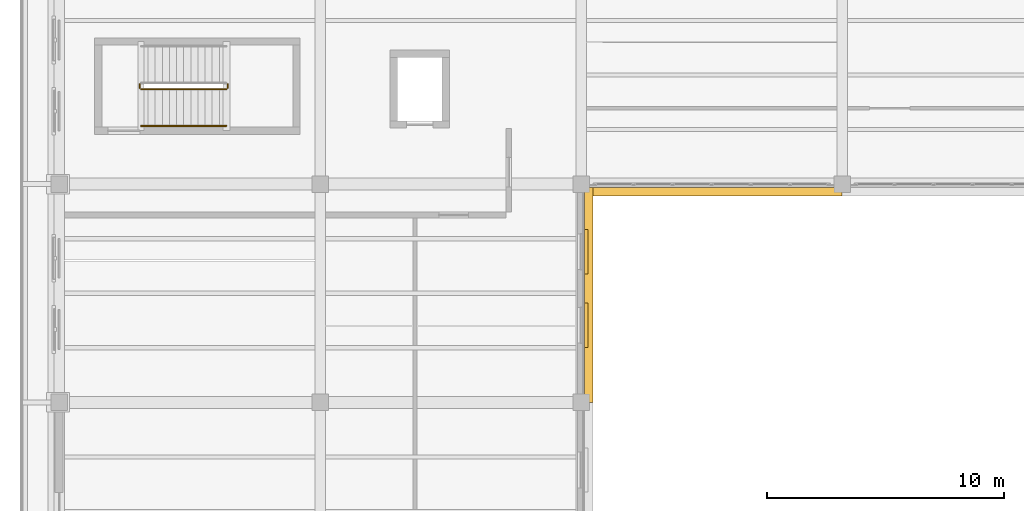
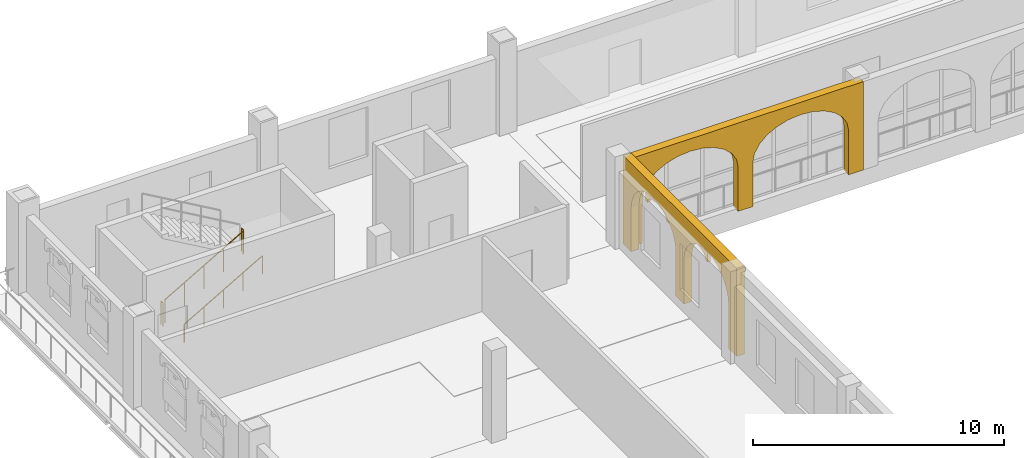
# One storey, part 140 of 156: 4 coverings, 4 railings.
"""IFC4 building model written with IfcOpenShell, lengths in metres."""

from ifc_helpers import new_model, si_unit, direction, frame, origin, origin_2d, place, context, subcontext, project, spatial, polyline, circle, outline, extrude, material, layer, layer_set, type_object, element, save


model = new_model("IFC4")

# Units and contexts
model_context = context("Model", 3, precision=1e-05, world=origin(), true_north=direction((0.0, 1.0)))
body_context = subcontext(model_context, "Body", "Model", "MODEL_VIEW")
ifc_project = project(units=[si_unit("LENGTHUNIT", "METRE"), si_unit("AREAUNIT", "SQUARE_METRE"), si_unit("VOLUMEUNIT", "CUBIC_METRE"), si_unit("PLANEANGLEUNIT", "RADIAN"), si_unit("MASSUNIT", "GRAM", prefix="KILO")], contexts=[model_context])

# Site, building, storey
site_placement = place(None, origin())
site = spatial("IfcSite", under=ifc_project, at=site_placement, CompositionType="ELEMENT")
building_placement = place(site_placement, origin())
building = spatial("IfcBuilding", under=site, at=building_placement, Name="Caurita Quay Ferry Terminal", CompositionType="ELEMENT")
storey_placement = place(building_placement, frame((0.0, 0.0, 5.39990234375)))
storey = spatial("IfcBuildingStorey", under=building, at=storey_placement, Name="L01", CompositionType="ELEMENT", Elevation=5.39990234375)

# Coverings
ifc_material_1 = material(Name="Warm-white lime stucco masonry", Category="masonry")
ifc_layer_1 = layer(ifc_material_1, 0.360107421875, Name="Spanish Colonial semicircular lime-stucco portales arcade 360 mm")
ifc_layer_set_1 = layer_set([ifc_layer_1], Name="Warm-white lime stucco masonry")
covering_type_1 = type_object("IfcCoveringType", Name="COV-ARC-CLD", PredefinedType="CLADDING", material=ifc_layer_set_1)
covering_1_placement = place(storey_placement, frame((33.0, 107.47998046875, 0.0), z_axis=(0.0, 0.0, 1.0), x_axis=(-1.0, 0.0, 0.0)))
element("IfcCovering", 1, at=covering_1_placement, inside=storey, type_object=covering_type_1, Name="L01 Courtyard North Cloister Arcade 054", PredefinedType="CLADDING", context=body_context, shape_type="SweptSolid", body=[
    extrude(outline(polyline([(0.0, 0.0), (0.679931640625, 0.0), (0.679931640625, 2.14990234375), (0.755126953125, 2.55126953125), (0.97509765625, 2.925048828125), (1.3251953125, 3.24609375), (1.78125, 3.492431640625), (2.3125, 3.647216796875), (2.882568359375, 3.699951171875), (3.45263671875, 3.647216796875), (3.98388671875, 3.492431640625), (4.43994140625, 3.24609375), (4.7900390625, 2.925048828125), (5.010009765625, 2.55126953125), (5.0849609375, 2.14990234375), (5.0849609375, 0.0), (5.76513671875, 0.0), (5.76513671875, 2.14990234375), (5.840087890625, 2.55126953125), (6.06005859375, 2.925048828125), (6.41015625, 3.24609375), (6.8662109375, 3.492431640625), (7.3974609375, 3.647216796875), (7.967529296875, 3.699951171875), (8.53759765625, 3.647216796875), (9.06884765625, 3.492431640625), (9.52490234375, 3.24609375), (9.875, 2.925048828125), (10.094970703125, 2.55126953125), (10.170166015625, 2.14990234375), (10.170166015625, 0.0), (10.85009765625, 0.0), (10.85009765625, 4.300048828125), (0.0, 4.300048828125), (0.0, 0.0)])), frame((0.0, 0.18017578125, 0.0), z_axis=(0.0, -1.0, 0.0), x_axis=(1.0, 0.0, 0.0)), (0.0, 0.0, 1.0), 0.360107421875),
])
covering_2_placement = place(storey_placement, frame((22.320068359375, 98.60009765625, 0.0), z_axis=(0.0, 0.0, 1.0), x_axis=(0.0, 1.0, 0.0)))
element("IfcCovering", 2, at=covering_2_placement, inside=storey, type_object=covering_type_1, Name="L01 Courtyard West Cloister Arcade 065", PredefinedType="CLADDING", context=body_context, shape_type="SweptSolid", body=[
    extrude(outline(polyline([(0.0, 0.0), (0.64990234375, 0.0), (0.64990234375, 2.14990234375), (0.71044921875, 2.55126953125), (0.8876953125, 2.925048828125), (1.169921875, 3.24609375), (1.537353515625, 3.492431640625), (1.965576171875, 3.647216796875), (2.425048828125, 3.699951171875), (2.88427734375, 3.647216796875), (3.3125, 3.492431640625), (3.679931640625, 3.24609375), (3.962158203125, 2.925048828125), (4.139404296875, 2.55126953125), (4.199951171875, 2.14990234375), (4.199951171875, 0.0), (4.849853515625, 0.0), (4.849853515625, 2.14990234375), (4.910400390625, 2.55126953125), (5.087646484375, 2.925048828125), (5.369873046875, 3.24609375), (5.7373046875, 3.492431640625), (6.16552734375, 3.647216796875), (6.624755859375, 3.699951171875), (7.084228515625, 3.647216796875), (7.51220703125, 3.492431640625), (7.8798828125, 3.24609375), (8.162109375, 2.925048828125), (8.33935546875, 2.55126953125), (8.39990234375, 2.14990234375), (8.39990234375, 0.0), (9.0498046875, 0.0), (9.0498046875, 4.300048828125), (0.0, 4.300048828125), (0.0, 0.0)])), frame((0.0, 0.18017578125, 0.0), z_axis=(0.0, -1.0, 0.0), x_axis=(1.0, 0.0, 0.0)), (0.0, 0.0, 1.0), 0.360107421875),
])
ifc_material_2 = material(Name="Coral stone ashlar cladding", Category="masonry")
ifc_layer_2 = layer(ifc_material_2, 0.139892578125, Name="Spanish Colonial semicircular arched window surround 140 mm")
ifc_layer_set_2 = layer_set([ifc_layer_2], Name="Coral stone ashlar cladding")
covering_type_2 = type_object("IfcCoveringType", Name="COV-WHD-MLD", PredefinedType="MOLDING", material=ifc_layer_set_2)
covering_3_placement = place(storey_placement, frame((22.215087890625, 100.919921875, 3.18017578125), z_axis=(0.0, 0.0, 1.0), x_axis=(0.0, 1.0, 0.0)))
element("IfcCovering", 3, at=covering_3_placement, inside=storey, type_object=covering_type_2, Name="L01 Arched Window Surround 109", PredefinedType="MOLDING", context=body_context, shape_type="SweptSolid", body=[
    extrude(outline(polyline([(0.0, 0.0), (0.159912109375, 0.0), (0.159912109375, 0.0400390625), (0.19775390625, 0.1513671875), (0.30712890625, 0.251708984375), (0.4775390625, 0.331298828125), (0.692138671875, 0.38232421875), (0.929931640625, 0.39990234375), (1.16796875, 0.38232421875), (1.382568359375, 0.331298828125), (1.552978515625, 0.251708984375), (1.662353515625, 0.1513671875), (1.7001953125, 0.0400390625), (1.7001953125, 0.0), (1.860107421875, 0.0), (1.860107421875, 0.47998046875), (0.0, 0.47998046875), (0.0, 0.0)])), frame((0.0, 0.06982421875, 0.0), z_axis=(0.0, -1.0, 0.0), x_axis=(1.0, 0.0, 0.0)), (0.0, 0.0, 1.0), 0.139892578125),
])
covering_4_placement = place(storey_placement, frame((22.215087890625, 104.02001953125, 3.18017578125), z_axis=(0.0, 0.0, 1.0), x_axis=(0.0, 1.0, 0.0)))
element("IfcCovering", 4, at=covering_4_placement, inside=storey, type_object=covering_type_2, Name="L01 Arched Window Surround 110", PredefinedType="MOLDING", context=body_context, shape_type="SweptSolid", body=[
    extrude(outline(polyline([(0.0, 0.0), (0.159912109375, 0.0), (0.159912109375, 0.0400390625), (0.19775390625, 0.1513671875), (0.30712890625, 0.251708984375), (0.477294921875, 0.331298828125), (0.69189453125, 0.38232421875), (0.929931640625, 0.39990234375), (1.16796875, 0.38232421875), (1.382568359375, 0.331298828125), (1.552734375, 0.251708984375), (1.662109375, 0.1513671875), (1.699951171875, 0.0400390625), (1.699951171875, 0.0), (1.85986328125, 0.0), (1.85986328125, 0.47998046875), (0.0, 0.47998046875), (0.0, 0.0)])), frame((0.0, 0.06982421875, 0.0), z_axis=(0.0, -1.0, 0.0), x_axis=(1.0, 0.0, 0.0)), (0.0, 0.0, 1.0), 0.139892578125),
])

# Railings
ifc_material_3 = material(Name="Bronze architectural metalwork", Category="metal")
railing_type_1 = type_object("IfcRailingType", Name="RL-HND-090", PredefinedType="HANDRAIL", material=ifc_material_3)
railing_1_placement = place(storey_placement, frame((3.449951171875, 110.25, 0.173095703125)))
element("IfcRailing", 5, at=railing_1_placement, inside=storey, type_object=railing_type_1, Name="L01 ST-01 stair handrail 1", PredefinedType="HANDRAIL", context=body_context, shape_type="SweptSolid", body=[
    extrude(circle(Radius=0.02392578125, at=origin_2d()), frame((0.0, 0.0, 0.8759765625), z_axis=(0.866193409371, 0.0, 0.499708892819), x_axis=(0.0, 1.0, 0.0)), (0.0, 0.0, 1.0), 4.15625),
    extrude(circle(Radius=0.02099609375, at=origin_2d()), origin(), (0.0, 0.0, 1.0), 0.851806640625),
    extrude(circle(Radius=0.02099609375, at=origin_2d()), frame((0.89990234375, 0.0, 0.519287109375)), (0.0, 0.0, 1.0), 0.851806640625),
    extrude(circle(Radius=0.02099609375, at=origin_2d()), frame((1.800048828125, 0.0, 1.03857421875)), (0.0, 0.0, 1.0), 0.851806640625),
    extrude(circle(Radius=0.02099609375, at=origin_2d()), frame((2.7001953125, 0.0, 1.5576171875)), (0.0, 0.0, 1.0), 0.851806640625),
    extrude(circle(Radius=0.02099609375, at=origin_2d()), frame((3.60009765625, 0.0, 2.076904296875)), (0.0, 0.0, 1.0), 0.851806640625),
])
railing_type_2 = type_object("IfcRailingType", Name="RL-REJA-115", PredefinedType="BALUSTRADE", material=ifc_material_3)
railing_2_placement = place(storey_placement, frame((3.449951171875, 111.800048828125, 0.173095703125)))
element("IfcRailing", 6, at=railing_2_placement, inside=storey, type_object=railing_type_2, Name="L01 ST-01 stair guard 1", PredefinedType="BALUSTRADE", context=body_context, shape_type="SweptSolid", body=[
    extrude(circle(Radius=0.02392578125, at=origin_2d()), frame((0.0, 0.0, 1.1259765625), z_axis=(0.866193409371, 0.0, 0.499708892819), x_axis=(0.0, 1.0, 0.0)), (0.0, 0.0, 1.0), 4.15625),
    extrude(circle(Radius=0.02099609375, at=origin_2d()), origin(), (0.0, 0.0, 1.0), 1.101806640625),
    extrude(circle(Radius=0.02099609375, at=origin_2d()), frame((0.89990234375, 0.0, 0.519287109375)), (0.0, 0.0, 1.0), 1.101806640625),
    extrude(circle(Radius=0.02099609375, at=origin_2d()), frame((1.800048828125, 0.0, 1.03857421875)), (0.0, 0.0, 1.0), 1.101806640625),
    extrude(circle(Radius=0.02099609375, at=origin_2d()), frame((2.7001953125, 0.0, 1.5576171875)), (0.0, 0.0, 1.0), 1.101806640625),
    extrude(circle(Radius=0.02099609375, at=origin_2d()), frame((3.60009765625, 0.0, 2.076904296875)), (0.0, 0.0, 1.0), 1.101806640625),
])
for number, where, name in (
    (7, (7.10009765625, 111.85009765625, 2.25), "L01 ST-01 stair guard 2"),
    (8, (3.39990234375, 111.85009765625, 0.0), "L01 ST-01 stair guard 4"),
):
    element("IfcRailing", number, at=place(storey_placement, frame(where)), inside=storey, type_object=railing_type_2, Name=name, PredefinedType="BALUSTRADE", context=body_context, shape_type="SweptSolid", body=[
        extrude(circle(Radius=0.02392578125, at=origin_2d()), frame((0.0, 0.0, 1.1259765625), z_axis=(0.0, 1.0, 0.0), x_axis=(-1.0, 0.0, 0.0)), (0.0, 0.0, 1.0), 0.159912109375),
        extrude(circle(Radius=0.02099609375, at=origin_2d()), origin(), (0.0, 0.0, 1.0), 1.101806640625),
        extrude(circle(Radius=0.02099609375, at=origin_2d()), frame((0.0, 0.159912109375, 0.0)), (0.0, 0.0, 1.0), 1.101806640625),
    ])

save(model, "model.ifc")
